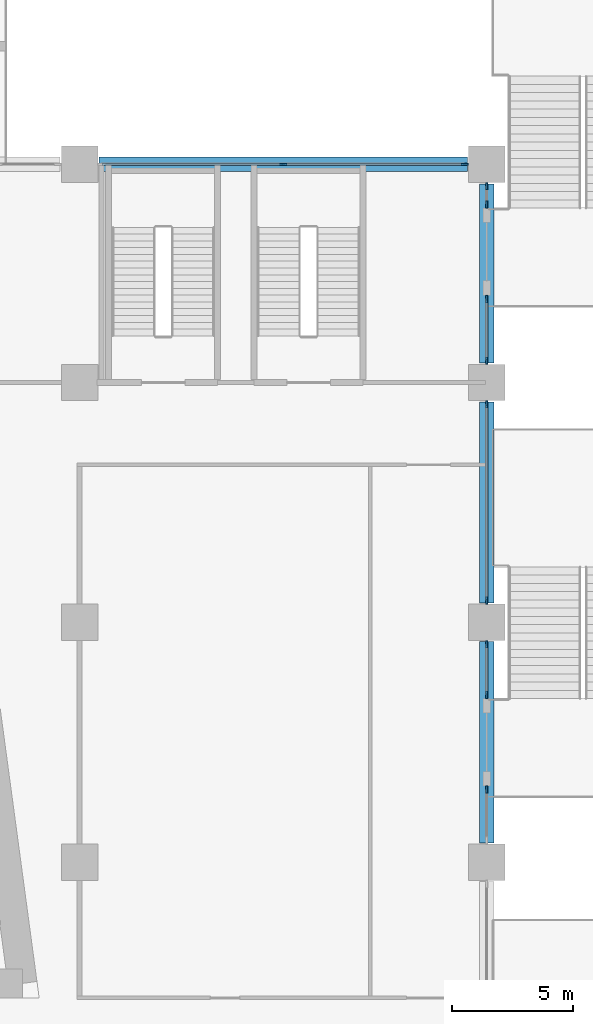
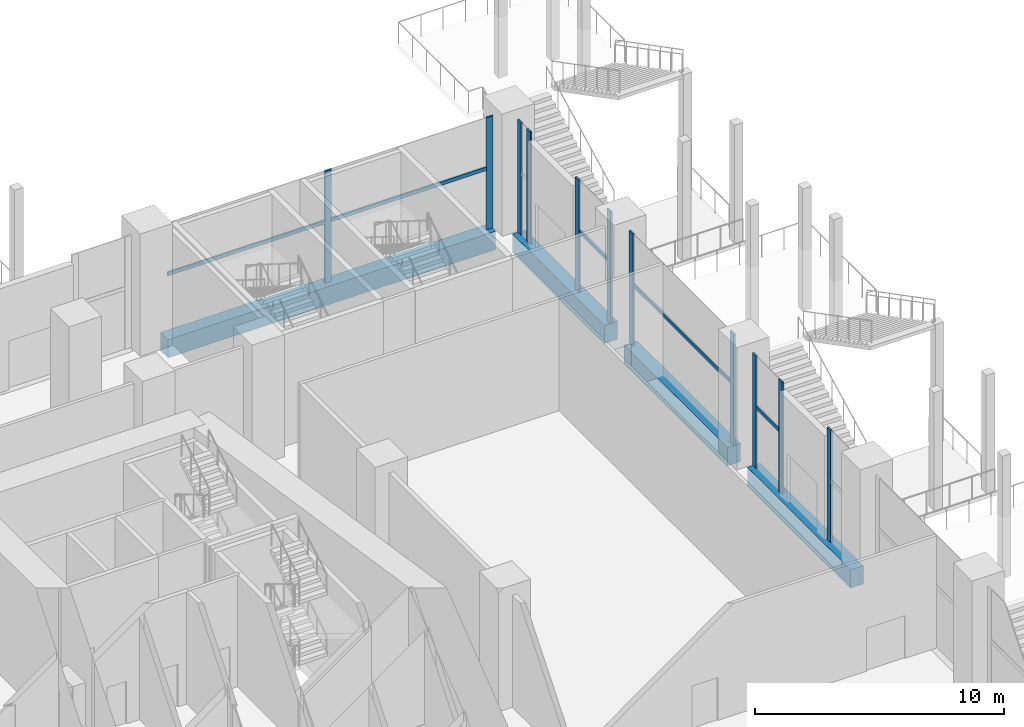
# One storey, part 12 of 49: 16 members, 4 beams, 6 elements without a shape of their own.
"""IFC4 building model written with IfcOpenShell, lengths in metres."""

from ifc_helpers import new_model, si_unit, direction, frame, origin, origin_2d, place, context, subcontext, project, spatial, rectangle, extrude, material, material_profile, profile_set, type_object, element, aggregate, save


model = new_model("IFC4")

# Units and contexts
model_context = context("Model", 3, precision=1e-05, world=origin(), true_north=direction((0.0, 1.0)))
body_context = subcontext(model_context, "Body", "Model", "MODEL_VIEW")
ifc_project = project(units=[si_unit("LENGTHUNIT", "METRE"), si_unit("AREAUNIT", "SQUARE_METRE"), si_unit("VOLUMEUNIT", "CUBIC_METRE"), si_unit("PLANEANGLEUNIT", "RADIAN"), si_unit("MASSUNIT", "GRAM", prefix="KILO")], contexts=[model_context])

# Site, building, storey
site_placement = place(None, origin())
site = spatial("IfcSite", under=ifc_project, at=site_placement, CompositionType="ELEMENT")
building_placement = place(site_placement, origin())
building = spatial("IfcBuilding", under=site, at=building_placement, Name="Candeia Pilgrim Tower and Theatre", CompositionType="ELEMENT")
storey_placement = place(building_placement, frame((0.0, 0.0, 17.0)))
storey = spatial("IfcBuildingStorey", under=building, at=storey_placement, Name="L02", CompositionType="ELEMENT", Elevation=17.0)

# Curtain wall, members
ifc_material_1 = material(Name="Aluminium framed podium glazing", Category="aluminium")
curtain_wall_type = type_object("IfcCurtainWallType", Name="CW-P curtain wall", PredefinedType="NOTDEFINED", material=ifc_material_1)
curtain_wall_1_placement = place(storey_placement, origin())
curtain_wall_1 = element("IfcCurtainWall", 1, at=curtain_wall_1_placement, inside=storey, type_object=curtain_wall_type, Name="Curtain wall CW-P L02.170", PredefinedType="NOTDEFINED")
ifc_material_2 = material(Name="Anodised aluminium", Category="aluminium")
ifc_material_profile_1 = material_profile(ifc_material_2, rectangle(XDim=0.080078125, YDim=0.300048828125, at=origin_2d()))
ifc_profile_set_1 = profile_set([ifc_material_profile_1], Name="Anodised aluminium")
member_type_1 = type_object("IfcMemberType", Name="CW-P mullion 80x300", PredefinedType="MULLION", material=ifc_profile_set_1)
member_1_placement = place(storey_placement, frame((151.199951171875, 144.800048828125, 0.0), z_axis=(0.0, 0.0, 1.0), x_axis=(0.0, 1.0, 0.0)))
member_1 = element("IfcMember", 2, at=member_1_placement, type_object=member_type_1, Name="CW-P mullion 2", PredefinedType="MULLION", context=body_context, shape_type="SweptSolid", body=[
    extrude(rectangle(XDim=0.080078125, YDim=0.300048828125, at=origin_2d()), origin(), (0.0, 0.0, 1.0), 5.5),
])
member_2_placement = place(storey_placement, frame((158.699951171875, 144.800048828125, 0.0), z_axis=(0.0, 0.0, 1.0), x_axis=(0.0, 1.0, 0.0)))
member_2 = element("IfcMember", 3, at=member_2_placement, type_object=member_type_1, Name="CW-P mullion 3", PredefinedType="MULLION", context=body_context, shape_type="SweptSolid", body=[
    extrude(rectangle(XDim=0.080078125, YDim=0.300048828125, at=origin_2d()), origin(), (0.0, 0.0, 1.0), 5.5),
])

curtain_wall_2_placement = place(storey_placement, origin())
curtain_wall_2 = element("IfcCurtainWall", 4, at=curtain_wall_2_placement, inside=storey, type_object=curtain_wall_type, Name="Curtain wall CW-P L02.200", PredefinedType="NOTDEFINED")
member_3_placement = place(storey_placement, frame((159.60009765625, 143.89990234375, 0.0), z_axis=(0.0, 0.0, 1.0), x_axis=(1.0, 0.0, 0.0)))
member_3 = element("IfcMember", 5, at=member_3_placement, type_object=member_type_1, Name="CW-P mullion 1", PredefinedType="MULLION", context=body_context, shape_type="SweptSolid", body=[
    extrude(rectangle(XDim=0.080078125, YDim=0.300048828125, at=origin_2d()), origin(), (0.0, 0.0, 1.0), 5.5),
])
member_4_placement = place(storey_placement, frame((159.60009765625, 143.14990234375, 0.0), z_axis=(0.0, 0.0, 1.0), x_axis=(1.0, 0.0, 0.0)))
member_4 = element("IfcMember", 6, at=member_4_placement, type_object=member_type_1, Name="CW-P mullion 2", PredefinedType="MULLION", context=body_context, shape_type="SweptSolid", body=[
    extrude(rectangle(XDim=0.080078125, YDim=0.300048828125, at=origin_2d()), origin(), (0.0, 0.0, 1.0), 5.5),
])
aggregate(curtain_wall_2, [member_3, member_4])

curtain_wall_3_placement = place(storey_placement, origin())
curtain_wall_3 = element("IfcCurtainWall", 7, at=curtain_wall_3_placement, inside=storey, type_object=curtain_wall_type, Name="Curtain wall CW-P L02.201", PredefinedType="NOTDEFINED")
member_5_placement = place(storey_placement, frame((159.60009765625, 139.25, 0.0), z_axis=(0.0, 0.0, 1.0), x_axis=(1.0, 0.0, 0.0)))
member_5 = element("IfcMember", 8, at=member_5_placement, type_object=member_type_1, Name="CW-P mullion 1", PredefinedType="MULLION", context=body_context, shape_type="SweptSolid", body=[
    extrude(rectangle(XDim=0.080078125, YDim=0.300048828125, at=origin_2d()), origin(), (0.0, 0.0, 1.0), 5.5),
])
member_6_placement = place(storey_placement, frame((159.60009765625, 136.699951171875, 0.0), z_axis=(0.0, 0.0, 1.0), x_axis=(1.0, 0.0, 0.0)))
member_6 = element("IfcMember", 9, at=member_6_placement, type_object=member_type_1, Name="CW-P mullion 2", PredefinedType="MULLION", context=body_context, shape_type="SweptSolid", body=[
    extrude(rectangle(XDim=0.080078125, YDim=0.300048828125, at=origin_2d()), origin(), (0.0, 0.0, 1.0), 5.5),
])

curtain_wall_4_placement = place(storey_placement, origin())
curtain_wall_4 = element("IfcCurtainWall", 10, at=curtain_wall_4_placement, inside=storey, type_object=curtain_wall_type, Name="Curtain wall CW-P L02.210", PredefinedType="NOTDEFINED")
member_7_placement = place(storey_placement, frame((159.60009765625, 134.89990234375, 0.0), z_axis=(0.0, 0.0, 1.0), x_axis=(1.0, 0.0, 0.0)))
member_7 = element("IfcMember", 11, at=member_7_placement, type_object=member_type_1, Name="CW-P mullion 1", PredefinedType="MULLION", context=body_context, shape_type="SweptSolid", body=[
    extrude(rectangle(XDim=0.080078125, YDim=0.300048828125, at=origin_2d()), origin(), (0.0, 0.0, 1.0), 5.5),
])
member_8_placement = place(storey_placement, frame((159.60009765625, 126.800048828125, 0.0), z_axis=(0.0, 0.0, 1.0), x_axis=(1.0, 0.0, 0.0)))
member_8 = element("IfcMember", 12, at=member_8_placement, type_object=member_type_1, Name="CW-P mullion 2", PredefinedType="MULLION", context=body_context, shape_type="SweptSolid", body=[
    extrude(rectangle(XDim=0.080078125, YDim=0.300048828125, at=origin_2d()), origin(), (0.0, 0.0, 1.0), 5.5),
])

curtain_wall_5_placement = place(storey_placement, origin())
curtain_wall_5 = element("IfcCurtainWall", 13, at=curtain_wall_5_placement, inside=storey, type_object=curtain_wall_type, Name="Curtain wall CW-P L02.220", PredefinedType="NOTDEFINED")
member_9_placement = place(storey_placement, frame((159.60009765625, 125.0, 0.0), z_axis=(0.0, 0.0, 1.0), x_axis=(1.0, 0.0, 0.0)))
member_9 = element("IfcMember", 14, at=member_9_placement, type_object=member_type_1, Name="CW-P mullion 1", PredefinedType="MULLION", context=body_context, shape_type="SweptSolid", body=[
    extrude(rectangle(XDim=0.080078125, YDim=0.300048828125, at=origin_2d()), origin(), (0.0, 0.0, 1.0), 5.5),
])
member_10_placement = place(storey_placement, frame((159.60009765625, 122.89990234375, 0.0), z_axis=(0.0, 0.0, 1.0), x_axis=(1.0, 0.0, 0.0)))
member_10 = element("IfcMember", 15, at=member_10_placement, type_object=member_type_1, Name="CW-P mullion 2", PredefinedType="MULLION", context=body_context, shape_type="SweptSolid", body=[
    extrude(rectangle(XDim=0.080078125, YDim=0.300048828125, at=origin_2d()), origin(), (0.0, 0.0, 1.0), 5.5),
])

# Curtain wall, member
curtain_wall_6_placement = place(storey_placement, origin())
curtain_wall_6 = element("IfcCurtainWall", 16, at=curtain_wall_6_placement, inside=storey, type_object=curtain_wall_type, Name="Curtain wall CW-P L02.221", PredefinedType="NOTDEFINED")
member_11_placement = place(storey_placement, frame((159.60009765625, 119.0, 0.0), z_axis=(0.0, 0.0, 1.0), x_axis=(1.0, 0.0, 0.0)))
member_11 = element("IfcMember", 17, at=member_11_placement, type_object=member_type_1, Name="CW-P mullion 1", PredefinedType="MULLION", context=body_context, shape_type="SweptSolid", body=[
    extrude(rectangle(XDim=0.080078125, YDim=0.300048828125, at=origin_2d()), origin(), (0.0, 0.0, 1.0), 5.5),
])
aggregate(curtain_wall_6, [member_11])

# Member
ifc_material_profile_2 = material_profile(ifc_material_2, rectangle(XDim=0.080078125, YDim=0.179931640625, at=origin_2d()))
ifc_profile_set_2 = profile_set([ifc_material_profile_2], Name="Anodised aluminium")
member_type_2 = type_object("IfcMemberType", Name="CW-P transom 80x180", PredefinedType="USERDEFINED", material=ifc_profile_set_2)
member_12_placement = place(storey_placement, frame((143.739990234375, 144.800048828125, 3.0), z_axis=(1.0, 0.0, 0.0), x_axis=(0.0, 1.0, 0.0)))
member_12 = element("IfcMember", 18, at=member_12_placement, type_object=member_type_2, Name="CW-P transom 1.1", ObjectType="TRANSOM", PredefinedType="USERDEFINED", context=body_context, shape_type="SweptSolid", body=[
    extrude(rectangle(XDim=0.080078125, YDim=0.179931640625, at=origin_2d()), origin(), (0.0, 0.0, 1.0), 7.419921875),
])

member_13_placement = place(storey_placement, frame((151.239990234375, 144.800048828125, 3.0), z_axis=(1.0, 0.0, 0.0), x_axis=(0.0, 1.0, 0.0)))
member_13 = element("IfcMember", 19, at=member_13_placement, type_object=member_type_2, Name="CW-P transom 2.1", ObjectType="TRANSOM", PredefinedType="USERDEFINED", context=body_context, shape_type="SweptSolid", body=[
    extrude(rectangle(XDim=0.080078125, YDim=0.179931640625, at=origin_2d()), origin(), (0.0, 0.0, 1.0), 7.419921875),
])

aggregate(curtain_wall_1, [member_1, member_2, member_12, member_13])

member_14_placement = place(storey_placement, frame((159.60009765625, 139.2099609375, 3.0), z_axis=(0.0, -1.0, 0.0), x_axis=(1.0, 0.0, 0.0)))
member_14 = element("IfcMember", 20, at=member_14_placement, type_object=member_type_2, Name="CW-P transom 1.1", ObjectType="TRANSOM", PredefinedType="USERDEFINED", context=body_context, shape_type="SweptSolid", body=[
    extrude(rectangle(XDim=0.080078125, YDim=0.179931640625, at=origin_2d()), origin(), (0.0, 0.0, 1.0), 2.469970703125),
])

aggregate(curtain_wall_3, [member_5, member_6, member_14])

member_15_placement = place(storey_placement, frame((159.60009765625, 134.860107421875, 3.0), z_axis=(0.0, -1.0, 0.0), x_axis=(1.0, 0.0, 0.0)))
member_15 = element("IfcMember", 21, at=member_15_placement, type_object=member_type_2, Name="CW-P transom 1.1", ObjectType="TRANSOM", PredefinedType="USERDEFINED", context=body_context, shape_type="SweptSolid", body=[
    extrude(rectangle(XDim=0.080078125, YDim=0.179931640625, at=origin_2d()), origin(), (0.0, 0.0, 1.0), 8.02001953125),
])

aggregate(curtain_wall_4, [member_7, member_8, member_15])

member_16_placement = place(storey_placement, frame((159.60009765625, 124.9599609375, 3.0), z_axis=(0.0, -1.0, 0.0), x_axis=(1.0, 0.0, 0.0)))
member_16 = element("IfcMember", 22, at=member_16_placement, type_object=member_type_2, Name="CW-P transom 1.1", ObjectType="TRANSOM", PredefinedType="USERDEFINED", context=body_context, shape_type="SweptSolid", body=[
    extrude(rectangle(XDim=0.080078125, YDim=0.179931640625, at=origin_2d()), origin(), (0.0, 0.0, 1.0), 2.02001953125),
])

aggregate(curtain_wall_5, [member_9, member_10, member_16])

# Beams
ifc_material_3 = material(Name="Concrete C80/95", Category="concrete")
ifc_material_profile_3 = material_profile(ifc_material_3, rectangle(XDim=0.60009765625, YDim=0.89990234375, at=origin_2d()))
ifc_profile_set_3 = profile_set([ifc_material_profile_3], Name="Concrete C80/95")
beam_type = type_object("IfcBeamType", Name="RC 600x900 C80/95", PredefinedType="BEAM", material=ifc_profile_set_3)
for number, where, z_axis, x_axis, name in (
    (23, (159.60009765625, 116.800048828125, -0.449951171875), (0.0, 1.0, 0.0), (-1.0, 0.0, 0.0), "Spandrel beam L02-05"),
    (24, (159.60009765625, 126.699951171875, -0.449951171875), (0.0, 1.0, 0.0), (-1.0, 0.0, 0.0), "Spandrel beam L02-06"),
):
    element("IfcBeam", number, at=place(storey_placement, frame(where, z_axis=z_axis, x_axis=x_axis)), inside=storey, type_object=beam_type, Name=name, PredefinedType="BEAM", context=body_context, shape_type="SweptSolid", body=[
        extrude(rectangle(XDim=0.60009765625, YDim=0.89990234375, at=origin_2d()), origin(), (0.0, 0.0, 1.0), 8.300048828125),
    ])
beam_1_placement = place(storey_placement, frame((159.60009765625, 136.60009765625, -0.449951171875), z_axis=(0.0, 1.0, 0.0), x_axis=(-1.0, 0.0, 0.0)))
element("IfcBeam", 25, at=beam_1_placement, inside=storey, type_object=beam_type, Name="Spandrel beam L02-07", PredefinedType="BEAM", context=body_context, shape_type="SweptSolid", body=[
    extrude(rectangle(XDim=0.60009765625, YDim=0.89990234375, at=origin_2d()), origin(), (0.0, 0.0, 1.0), 7.39990234375),
])
beam_2_placement = place(storey_placement, frame((158.800048828125, 144.800048828125, -0.449951171875), z_axis=(-1.0, 0.0, 0.0), x_axis=(0.0, -1.0, 0.0)))
element("IfcBeam", 26, at=beam_2_placement, inside=storey, type_object=beam_type, Name="Spandrel beam L02-08", PredefinedType="BEAM", context=body_context, shape_type="SweptSolid", body=[
    extrude(rectangle(XDim=0.60009765625, YDim=0.89990234375, at=origin_2d()), origin(), (0.0, 0.0, 1.0), 15.199951171875),
])

save(model, "model.ifc")
